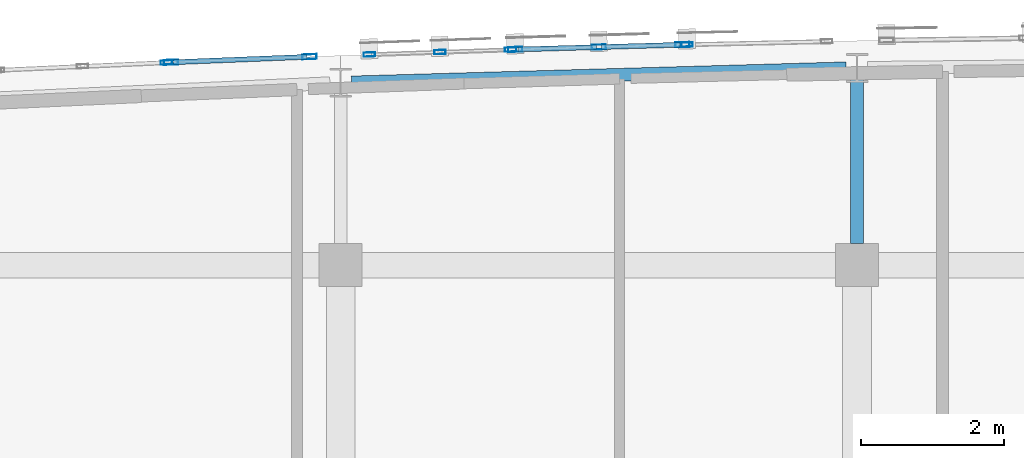
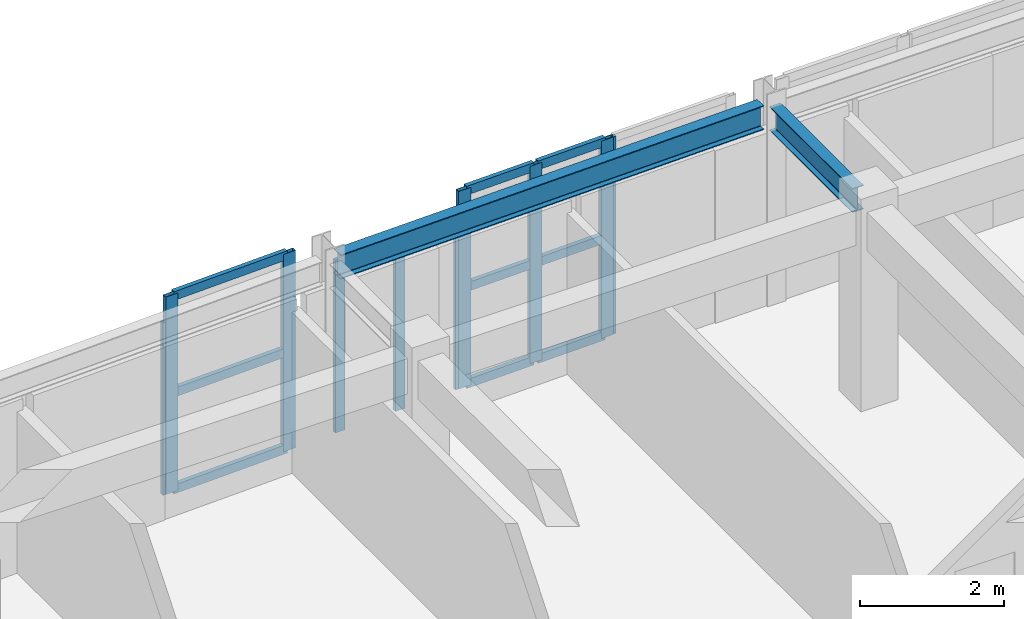
# One storey, part 16 of 50: 19 members, 2 beams, 5 elements without a shape of their own.
"""IFC4 building model written with IfcOpenShell, lengths in metres."""

from ifc_helpers import new_model, si_unit, direction, frame, origin, origin_2d, place, context, subcontext, project, spatial, hollow_rectangle, i_section, extrude, material, layer, layer_set, material_profile, profile_set, type_object, element, aggregate, save


model = new_model("IFC4")

# Units and contexts
model_context = context("Model", 3, precision=1e-05, world=origin(), true_north=direction((0.0, 1.0)))
body_context = subcontext(model_context, "Body", "Model", "MODEL_VIEW")
ifc_project = project(units=[si_unit("LENGTHUNIT", "METRE"), si_unit("AREAUNIT", "SQUARE_METRE"), si_unit("VOLUMEUNIT", "CUBIC_METRE"), si_unit("PLANEANGLEUNIT", "RADIAN"), si_unit("MASSUNIT", "GRAM", prefix="KILO")], contexts=[model_context])

# Site, building, storey
site_placement = place(None, origin())
site = spatial("IfcSite", under=ifc_project, at=site_placement, CompositionType="ELEMENT")
building_placement = place(site_placement, origin())
building = spatial("IfcBuilding", under=site, at=building_placement, Name="Carrowvane Square Congress Hotel", CompositionType="ELEMENT")
storey_placement = place(building_placement, frame((0.0, 0.0, 22.800048828125)))
storey = spatial("IfcBuildingStorey", under=building, at=storey_placement, Name="L05", CompositionType="ELEMENT", Elevation=22.800048828125)

# Beams
ifc_material_1 = material(Name="Steel S355", Category="steel")
ifc_material_profile_1 = material_profile(ifc_material_1, i_section(OverallWidth=0.1787109375, OverallDepth=0.409423828125, WebThickness=0.0087890625, FlangeThickness=0.014404296875, FilletRadius=0.01025390625, at=origin_2d()), Name="UKB 406x178x67")
ifc_profile_set_1 = profile_set([ifc_material_profile_1], Name="Steel S355")
beam_type = type_object("IfcBeamType", Name="BM-ST-UKB406", PredefinedType="BEAM", material=ifc_profile_set_1)
beam_1_placement = place(storey_placement, frame((83.75, 115.9482421875, 3.145263671875), z_axis=(0.999591595899, 0.028576938382, 0.0), x_axis=(-0.028576938382, 0.999591595899, 0.0)))
element("IfcBeam", 1, at=beam_1_placement, inside=storey, type_object=beam_type, Name="L06 curved north spandrel", PredefinedType="BEAM", context=body_context, shape_type="SweptSolid", body=[
    extrude(i_section(OverallWidth=0.1787109375, OverallDepth=0.409423828125, WebThickness=0.0087890625, FlangeThickness=0.014404296875, FilletRadius=0.01025390625, at=origin_2d()), origin(), (0.0, 0.0, 1.0), 6.903076171875),
])
beam_2_placement = place(storey_placement, frame((90.800048828125, 113.699951171875, 3.145263671875), z_axis=(0.0, 1.0, 0.0), x_axis=(-1.0, 0.0, 0.0)))
element("IfcBeam", 2, at=beam_2_placement, inside=storey, type_object=beam_type, Name="L06 radial north beam 12", PredefinedType="BEAM", context=body_context, shape_type="SweptSolid", body=[
    extrude(i_section(OverallWidth=0.1787109375, OverallDepth=0.409423828125, WebThickness=0.0087890625, FlangeThickness=0.014404296875, FilletRadius=0.01025390625, at=origin_2d()), origin(), (0.0, 0.0, 1.0), 2.2998046875),
])

# Curtain wall, member
ifc_material_2 = material(Name="Anodised aluminium", Category="aluminium")
ifc_layer_1 = layer(ifc_material_2, 0.2099609375)
ifc_layer_set_1 = layer_set([ifc_layer_1], Name="Anodised aluminium")
curtain_wall_type_1 = type_object("IfcCurtainWallType", Name="CW-SYS-5", PredefinedType="NOTDEFINED", material=ifc_layer_set_1)
curtain_wall_1_placement = place(storey_placement, origin())
curtain_wall_1 = element("IfcCurtainWall", 3, at=curtain_wall_1_placement, inside=storey, type_object=curtain_wall_type_1, Name="L05 unitised curtain wall 324", PredefinedType="NOTDEFINED")
ifc_material_3 = material(Name="Anodised aluminium", Category="aluminium")
ifc_material_profile_2 = material_profile(ifc_material_3, hollow_rectangle(XDim=0.06005859375, YDim=0.159912109375, WallThickness=0.00390625, at=origin_2d()), Name="CW-ML 60x160x4")
ifc_profile_set_2 = profile_set([ifc_material_profile_2], Name="Anodised aluminium")
member_type_1 = type_object("IfcMemberType", Name="CW-MUL-1", PredefinedType="MULLION", material=ifc_profile_set_2)
member_1_placement = place(storey_placement, frame((81.170166015625, 116.226318359375, 0.0), z_axis=(0.0, 0.0, 1.0), x_axis=(-0.045411059449, 0.998968385726, 0.0)))
member_1 = element("IfcMember", 4, at=member_1_placement, type_object=member_type_1, Name="CW-5 mullion 3", PredefinedType="MULLION", context=body_context, shape_type="SweptSolid", body=[
    extrude(hollow_rectangle(XDim=0.06005859375, YDim=0.159912109375, WallThickness=0.00390625, at=origin_2d()), origin(), (0.0, 0.0, 1.0), 2.925537109375),
])
aggregate(curtain_wall_1, [member_1])

# Curtain wall, members
ifc_material_4 = material(Name="Anodised aluminium", Category="aluminium")
ifc_layer_2 = layer(ifc_material_4, 0.23388671875)
ifc_layer_set_2 = layer_set([ifc_layer_2], Name="Anodised aluminium")
curtain_wall_type_2 = type_object("IfcCurtainWallType", Name="CW-SYS-7", PredefinedType="NOTDEFINED", material=ifc_layer_set_2)
curtain_wall_2_placement = place(storey_placement, origin())
curtain_wall_2 = element("IfcCurtainWall", 5, at=curtain_wall_2_placement, inside=storey, type_object=curtain_wall_type_2, Name="L05 unitised curtain wall 326", PredefinedType="NOTDEFINED")
member_2_placement = place(storey_placement, frame((84.00048828125, 116.337890625, 0.0), z_axis=(0.0, 0.0, 1.0), x_axis=(-0.034526729036, 0.999403774749, 0.0)))
member_2 = element("IfcMember", 6, at=member_2_placement, type_object=member_type_1, Name="CW-7 mullion 1", PredefinedType="MULLION", context=body_context, shape_type="SweptSolid", body=[
    extrude(hollow_rectangle(XDim=0.06005859375, YDim=0.159912109375, WallThickness=0.00390625, at=origin_2d()), origin(), (0.0, 0.0, 1.0), 2.925537109375),
])
member_3_placement = place(storey_placement, frame((84.9853515625, 116.371826171875, 0.0), z_axis=(0.0, 0.0, 1.0), x_axis=(-0.034526729036, 0.999403774749, 0.0)))
member_3 = element("IfcMember", 7, at=member_3_placement, type_object=member_type_1, Name="CW-7 mullion 2", PredefinedType="MULLION", context=body_context, shape_type="SweptSolid", body=[
    extrude(hollow_rectangle(XDim=0.06005859375, YDim=0.159912109375, WallThickness=0.00390625, at=origin_2d()), origin(), (0.0, 0.0, 1.0), 2.925537109375),
])
member_4_placement = place(storey_placement, frame((85.969970703125, 116.406005859375, 0.0), z_axis=(0.0, 0.0, 1.0), x_axis=(-0.034526729036, 0.999403774749, 0.0)))
member_4 = element("IfcMember", 8, at=member_4_placement, type_object=member_type_1, Name="CW-7 mullion 3", PredefinedType="MULLION", context=body_context, shape_type="SweptSolid", body=[
    extrude(hollow_rectangle(XDim=0.06005859375, YDim=0.159912109375, WallThickness=0.00390625, at=origin_2d()), origin(), (0.0, 0.0, 1.0), 2.925537109375),
])
aggregate(curtain_wall_2, [member_2, member_3, member_4])

# Curtain wall, member
ifc_material_5 = material(Name="Anodised aluminium", Category="aluminium")
ifc_layer_3 = layer(ifc_material_5, 0.162109375)
ifc_layer_set_3 = layer_set([ifc_layer_3], Name="Anodised aluminium")
curtain_wall_type_3 = type_object("IfcCurtainWallType", Name="CW-SYS-1", PredefinedType="NOTDEFINED", material=ifc_layer_set_3)
curtain_wall_3_placement = place(storey_placement, origin())
curtain_wall_3 = element("IfcCurtainWall", 9, at=curtain_wall_3_placement, inside=storey, type_object=curtain_wall_type_3, Name="L05 unitised curtain wall 328", PredefinedType="NOTDEFINED")
member_5_placement = place(storey_placement, frame((88.429931640625, 116.476318359375, 0.0), z_axis=(0.0, 0.0, 1.0), x_axis=(-0.022517686606, 0.99974644475, 0.0)))
member_5 = element("IfcMember", 10, at=member_5_placement, type_object=member_type_1, Name="CW-1 mullion 1", PredefinedType="MULLION", context=body_context, shape_type="SweptSolid", body=[
    extrude(hollow_rectangle(XDim=0.06005859375, YDim=0.159912109375, WallThickness=0.00390625, at=origin_2d()), origin(), (0.0, 0.0, 1.0), 3.349853515625),
])
aggregate(curtain_wall_3, [member_5])

# Curtain wall, members
ifc_material_6 = material(Name="Anodised aluminium", Category="aluminium")
ifc_layer_4 = layer(ifc_material_6, 0.221923828125)
ifc_layer_set_4 = layer_set([ifc_layer_4], Name="Anodised aluminium")
curtain_wall_type_4 = type_object("IfcCurtainWallType", Name="CW-SYS-6", PredefinedType="NOTDEFINED", material=ifc_layer_set_4)
curtain_wall_4_placement = place(storey_placement, origin())
curtain_wall_4 = element("IfcCurtainWall", 11, at=curtain_wall_4_placement, inside=storey, type_object=curtain_wall_type_4, Name="L05 unitised curtain wall 325", PredefinedType="NOTDEFINED")
ifc_material_7 = material(Name="Anodised aluminium", Category="aluminium")
ifc_material_profile_3 = material_profile(ifc_material_7, hollow_rectangle(XDim=0.070068359375, YDim=0.199951171875, WallThickness=0.0048828125, at=origin_2d()), Name="CW-ML 70x200x5")
ifc_profile_set_3 = profile_set([ifc_material_profile_3], Name="Anodised aluminium")
member_type_2 = type_object("IfcMemberType", Name="CW-MUL-2", PredefinedType="MULLION", material=ifc_profile_set_3)
member_6_placement = place(storey_placement, frame((81.23486328125, 116.22900390625, 0.0), z_axis=(0.0, 0.0, 1.0), x_axis=(-0.040135742379, 0.999194236464, 0.0)))
member_6 = element("IfcMember", 12, at=member_6_placement, type_object=member_type_2, Name="CW-6 mullion 1", PredefinedType="MULLION", context=body_context, shape_type="SweptSolid", body=[
    extrude(hollow_rectangle(XDim=0.070068359375, YDim=0.199951171875, WallThickness=0.0048828125, at=origin_2d()), origin(), (0.0, 0.0, 1.0), 3.349853515625),
])
member_7_placement = place(storey_placement, frame((83.166015625, 116.306640625, 0.0), z_axis=(0.0, 0.0, 1.0), x_axis=(-0.040135742379, 0.999194236464, 0.0)))
member_7 = element("IfcMember", 13, at=member_7_placement, type_object=member_type_2, Name="CW-6 mullion 2", PredefinedType="MULLION", context=body_context, shape_type="SweptSolid", body=[
    extrude(hollow_rectangle(XDim=0.070068359375, YDim=0.199951171875, WallThickness=0.0048828125, at=origin_2d()), origin(), (0.0, 0.0, 1.0), 3.349853515625),
])

ifc_material_8 = material(Name="Anodised aluminium", Category="aluminium")
ifc_layer_5 = layer(ifc_material_8, 0.24609375)
ifc_layer_set_5 = layer_set([ifc_layer_5], Name="Anodised aluminium")
curtain_wall_type_5 = type_object("IfcCurtainWallType", Name="CW-SYS-8", PredefinedType="NOTDEFINED", material=ifc_layer_set_5)
curtain_wall_5_placement = place(storey_placement, origin())
curtain_wall_5 = element("IfcCurtainWall", 14, at=curtain_wall_5_placement, inside=storey, type_object=curtain_wall_type_5, Name="L05 unitised curtain wall 327", PredefinedType="NOTDEFINED")
member_8_placement = place(storey_placement, frame((86.034912109375, 116.407958984375, 0.0), z_axis=(0.0, 0.0, 1.0), x_axis=(-0.028638010501, 0.999589848065, 0.0)))
member_8 = element("IfcMember", 15, at=member_8_placement, type_object=member_type_2, Name="CW-8 mullion 1", PredefinedType="MULLION", context=body_context, shape_type="SweptSolid", body=[
    extrude(hollow_rectangle(XDim=0.070068359375, YDim=0.199951171875, WallThickness=0.0048828125, at=origin_2d()), origin(), (0.0, 0.0, 1.0), 3.349853515625),
])
member_9_placement = place(storey_placement, frame((87.199951171875, 116.44140625, 0.0), z_axis=(0.0, 0.0, 1.0), x_axis=(-0.028638010501, 0.999589848065, 0.0)))
member_9 = element("IfcMember", 16, at=member_9_placement, type_object=member_type_2, Name="CW-8 mullion 2", PredefinedType="MULLION", context=body_context, shape_type="SweptSolid", body=[
    extrude(hollow_rectangle(XDim=0.070068359375, YDim=0.199951171875, WallThickness=0.0048828125, at=origin_2d()), origin(), (0.0, 0.0, 1.0), 3.349853515625),
])
member_10_placement = place(storey_placement, frame((88.364990234375, 116.474609375, 0.0), z_axis=(0.0, 0.0, 1.0), x_axis=(-0.028638010501, 0.999589848065, 0.0)))
member_10 = element("IfcMember", 17, at=member_10_placement, type_object=member_type_2, Name="CW-8 mullion 3", PredefinedType="MULLION", context=body_context, shape_type="SweptSolid", body=[
    extrude(hollow_rectangle(XDim=0.070068359375, YDim=0.199951171875, WallThickness=0.0048828125, at=origin_2d()), origin(), (0.0, 0.0, 1.0), 3.349853515625),
])

# Member
ifc_material_9 = material(Name="Anodised aluminium", Category="aluminium")
ifc_material_profile_4 = material_profile(ifc_material_9, hollow_rectangle(XDim=0.070068359375, YDim=0.14990234375, WallThickness=0.0048828125, at=origin_2d()), Name="CW-TR 70x150x5")
ifc_profile_set_4 = profile_set([ifc_material_profile_4], Name="Anodised aluminium")
member_type_3 = type_object("IfcMemberType", Name="CW-TRN-2", PredefinedType="USERDEFINED", material=ifc_profile_set_4)
member_11_placement = place(storey_placement, frame((81.27001953125, 116.23046875, 0.034912109375), z_axis=(0.999195295271, 0.040109374308, 0.0), x_axis=(-0.040109374308, 0.999195295271, 0.0)))
member_11 = element("IfcMember", 18, at=member_11_placement, type_object=member_type_3, Name="CW-6 transom 1.1", ObjectType="TRANSOM", PredefinedType="USERDEFINED", context=body_context, shape_type="SweptSolid", body=[
    extrude(hollow_rectangle(XDim=0.070068359375, YDim=0.14990234375, WallThickness=0.0048828125, at=origin_2d()), origin(), (0.0, 0.0, 1.0), 1.862548828125),
])

member_12_placement = place(storey_placement, frame((81.27001953125, 116.23046875, 1.675048828125), z_axis=(0.999195295271, 0.040109374308, 0.0), x_axis=(-0.040109374308, 0.999195295271, 0.0)))
member_12 = element("IfcMember", 19, at=member_12_placement, type_object=member_type_3, Name="CW-6 transom 1.2", ObjectType="TRANSOM", PredefinedType="USERDEFINED", context=body_context, shape_type="SweptSolid", body=[
    extrude(hollow_rectangle(XDim=0.070068359375, YDim=0.14990234375, WallThickness=0.0048828125, at=origin_2d()), origin(), (0.0, 0.0, 1.0), 1.862548828125),
])

member_13_placement = place(storey_placement, frame((81.27001953125, 116.23046875, 3.31494140625), z_axis=(0.999195295271, 0.040109374308, 0.0), x_axis=(-0.040109374308, 0.999195295271, 0.0)))
member_13 = element("IfcMember", 20, at=member_13_placement, type_object=member_type_3, Name="CW-6 transom 1.3", ObjectType="TRANSOM", PredefinedType="USERDEFINED", context=body_context, shape_type="SweptSolid", body=[
    extrude(hollow_rectangle(XDim=0.070068359375, YDim=0.14990234375, WallThickness=0.0048828125, at=origin_2d()), origin(), (0.0, 0.0, 1.0), 1.862548828125),
])

aggregate(curtain_wall_4, [member_6, member_7, member_11, member_12, member_13])

member_14_placement = place(storey_placement, frame((86.070068359375, 116.408935546875, 0.034912109375), z_axis=(0.999586614567, 0.02875065179, 0.0), x_axis=(-0.02875065179, 0.999586614567, 0.0)))
member_14 = element("IfcMember", 21, at=member_14_placement, type_object=member_type_3, Name="CW-8 transom 1.1", ObjectType="TRANSOM", PredefinedType="USERDEFINED", context=body_context, shape_type="SweptSolid", body=[
    extrude(hollow_rectangle(XDim=0.070068359375, YDim=0.14990234375, WallThickness=0.0048828125, at=origin_2d()), origin(), (0.0, 0.0, 1.0), 1.095458984375),
])

member_15_placement = place(storey_placement, frame((86.070068359375, 116.408935546875, 1.675048828125), z_axis=(0.999586614567, 0.02875065179, 0.0), x_axis=(-0.02875065179, 0.999586614567, 0.0)))
member_15 = element("IfcMember", 22, at=member_15_placement, type_object=member_type_3, Name="CW-8 transom 1.2", ObjectType="TRANSOM", PredefinedType="USERDEFINED", context=body_context, shape_type="SweptSolid", body=[
    extrude(hollow_rectangle(XDim=0.070068359375, YDim=0.14990234375, WallThickness=0.0048828125, at=origin_2d()), origin(), (0.0, 0.0, 1.0), 1.095458984375),
])

member_16_placement = place(storey_placement, frame((86.070068359375, 116.408935546875, 3.31494140625), z_axis=(0.999586614567, 0.02875065179, 0.0), x_axis=(-0.02875065179, 0.999586614567, 0.0)))
member_16 = element("IfcMember", 23, at=member_16_placement, type_object=member_type_3, Name="CW-8 transom 1.3", ObjectType="TRANSOM", PredefinedType="USERDEFINED", context=body_context, shape_type="SweptSolid", body=[
    extrude(hollow_rectangle(XDim=0.070068359375, YDim=0.14990234375, WallThickness=0.0048828125, at=origin_2d()), origin(), (0.0, 0.0, 1.0), 1.095458984375),
])

member_17_placement = place(storey_placement, frame((87.235107421875, 116.4423828125, 0.034912109375), z_axis=(0.999592994905, 0.028527960613, 0.0), x_axis=(-0.028527960613, 0.999592994905, 0.0)))
member_17 = element("IfcMember", 24, at=member_17_placement, type_object=member_type_3, Name="CW-8 transom 2.1", ObjectType="TRANSOM", PredefinedType="USERDEFINED", context=body_context, shape_type="SweptSolid", body=[
    extrude(hollow_rectangle(XDim=0.070068359375, YDim=0.14990234375, WallThickness=0.0048828125, at=origin_2d()), origin(), (0.0, 0.0, 1.0), 1.095458984375),
])

member_18_placement = place(storey_placement, frame((87.235107421875, 116.4423828125, 1.675048828125), z_axis=(0.999592994905, 0.028527960613, 0.0), x_axis=(-0.028527960613, 0.999592994905, 0.0)))
member_18 = element("IfcMember", 25, at=member_18_placement, type_object=member_type_3, Name="CW-8 transom 2.2", ObjectType="TRANSOM", PredefinedType="USERDEFINED", context=body_context, shape_type="SweptSolid", body=[
    extrude(hollow_rectangle(XDim=0.070068359375, YDim=0.14990234375, WallThickness=0.0048828125, at=origin_2d()), origin(), (0.0, 0.0, 1.0), 1.095458984375),
])

member_19_placement = place(storey_placement, frame((87.235107421875, 116.4423828125, 3.31494140625), z_axis=(0.999592994905, 0.028527960613, 0.0), x_axis=(-0.028527960613, 0.999592994905, 0.0)))
member_19 = element("IfcMember", 26, at=member_19_placement, type_object=member_type_3, Name="CW-8 transom 2.3", ObjectType="TRANSOM", PredefinedType="USERDEFINED", context=body_context, shape_type="SweptSolid", body=[
    extrude(hollow_rectangle(XDim=0.070068359375, YDim=0.14990234375, WallThickness=0.0048828125, at=origin_2d()), origin(), (0.0, 0.0, 1.0), 1.095458984375),
])

aggregate(curtain_wall_5, [member_8, member_9, member_10, member_14, member_15, member_16, member_17, member_18, member_19])

save(model, "model.ifc")
